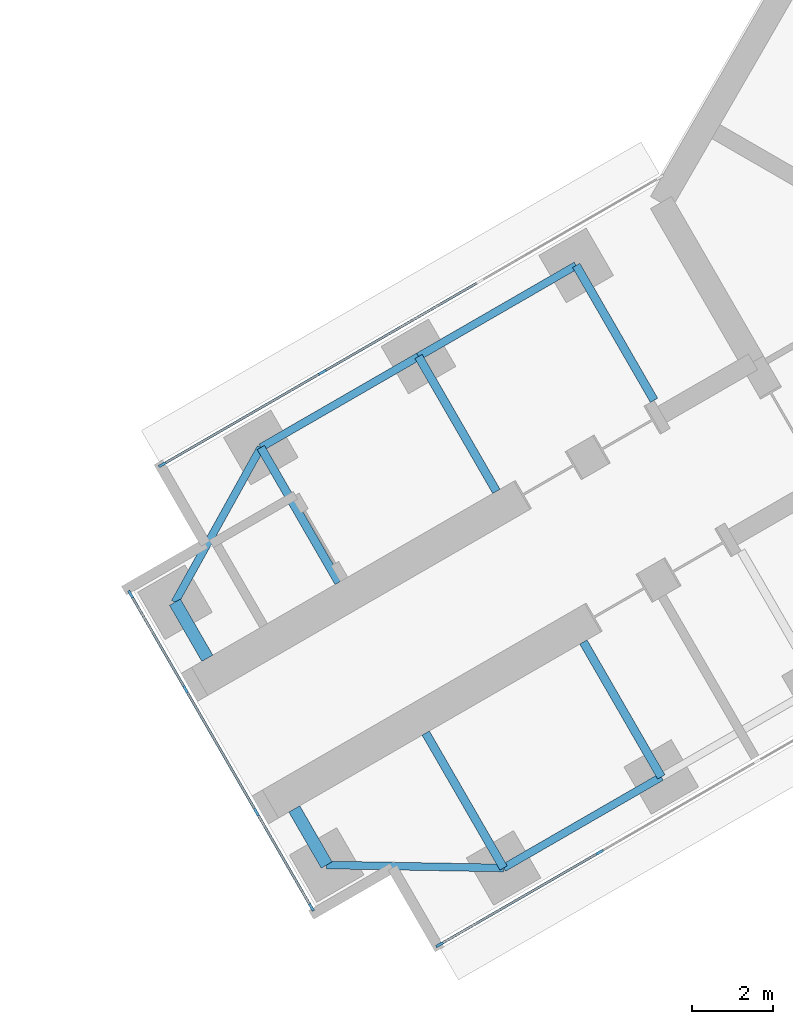
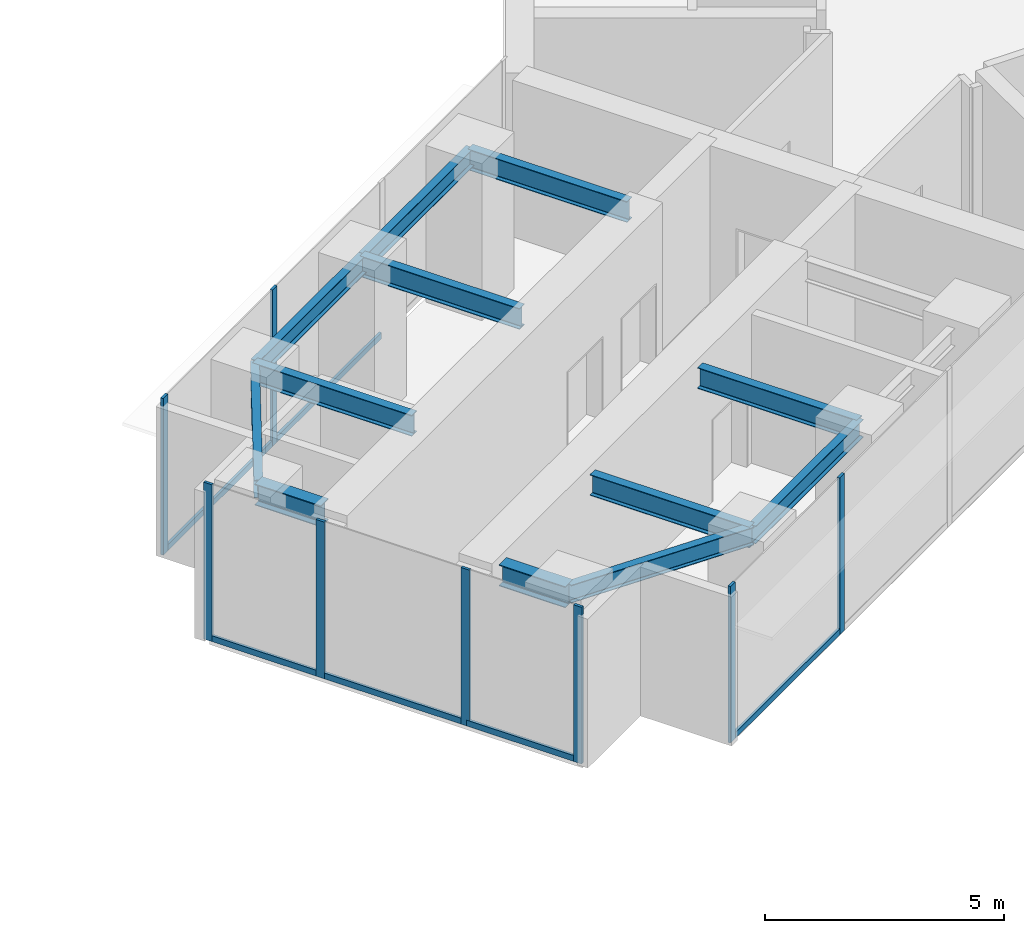
# One storey, part 3 of 21: 14 members, 12 beams, 3 elements without a shape of their own.
"""IFC4 building model written with IfcOpenShell, lengths in metres."""

from ifc_helpers import new_model, si_unit, direction, frame, origin, origin_2d, place, context, subcontext, project, spatial, rectangle, i_section, extrude, material, material_profile, profile_set, type_object, element, aggregate, save


model = new_model("IFC4")

# Units and contexts
model_context = context("Model", 3, precision=1e-05, world=origin(), true_north=direction((0.0, 1.0)))
body_context = subcontext(model_context, "Body", "Model", "MODEL_VIEW")
ifc_project = project(units=[si_unit("LENGTHUNIT", "METRE"), si_unit("AREAUNIT", "SQUARE_METRE"), si_unit("VOLUMEUNIT", "CUBIC_METRE"), si_unit("PLANEANGLEUNIT", "RADIAN"), si_unit("MASSUNIT", "GRAM", prefix="KILO")], contexts=[model_context])

# Site, building, storey
site_placement = place(None, origin())
site = spatial("IfcSite", under=ifc_project, at=site_placement, CompositionType="ELEMENT")
building_placement = place(site_placement, origin())
building = spatial("IfcBuilding", under=site, at=building_placement, Name="Upepo Twin Towers", CompositionType="ELEMENT")
storey_placement = place(building_placement, frame((0.0, 0.0, 101.5)))
storey = spatial("IfcBuildingStorey", under=building, at=storey_placement, Name="L24", CompositionType="ELEMENT", Elevation=101.5)

# Beams
ifc_material_1 = material(Name="Steel S355", Category="steel")
ifc_material_profile_1 = material_profile(ifc_material_1, i_section(OverallWidth=0.1904296875, OverallDepth=0.45703125, WebThickness=0.009033203125, FlangeThickness=0.014404296875, FilletRadius=0.01025390625, at=origin_2d()), Name="UB 457x191x74")
ifc_profile_set_1 = profile_set([ifc_material_profile_1], Name="Steel S355")
beam_type_1 = type_object("IfcBeamType", Name="Beam UB 457x191x74", PredefinedType="BEAM", material=ifc_profile_set_1)
beam_1_placement = place(storey_placement, frame((45.91162109375, -32.196044921875, 3.571533203125), z_axis=(-0.866031096941, -0.499990139034, 0.0), x_axis=(0.499990139034, -0.866031096941, 0.0)))
element("IfcBeam", 1, at=beam_1_placement, inside=storey, type_object=beam_type_1, Name="T2 edge beam BL 18.0-22.5", PredefinedType="BEAM", context=body_context, shape_type="SweptSolid", body=[
    extrude(i_section(OverallWidth=0.1904296875, OverallDepth=0.45703125, WebThickness=0.009033203125, FlangeThickness=0.014404296875, FilletRadius=0.01025390625, at=origin_2d()), origin(), (0.0, 0.0, 1.0), 4.5),
])
beam_2_placement = place(storey_placement, frame((42.014404296875, -34.446044921875, 3.571533203125), z_axis=(-0.999858804832, 0.016803880528, 0.0), x_axis=(-0.016803880528, -0.999858804832, 0.0)))
element("IfcBeam", 2, at=beam_2_placement, inside=storey, type_object=beam_type_1, Name="T2 nose edge beam BL", PredefinedType="BEAM", context=body_context, shape_type="SweptSolid", body=[
    extrude(i_section(OverallWidth=0.1904296875, OverallDepth=0.45703125, WebThickness=0.009033203125, FlangeThickness=0.014404296875, FilletRadius=0.01025390625, at=origin_2d()), origin(), (0.0, 0.0, 1.0), 4.373291015625),
])
beam_3_placement = place(storey_placement, frame((43.80859375, -19.553955078125, 3.571533203125), z_axis=(-0.866017533419, -0.500013631625, 0.0), x_axis=(0.500013631625, -0.866017533419, 0.0)))
element("IfcBeam", 3, at=beam_3_placement, inside=storey, type_object=beam_type_1, Name="T2 edge beam BR 13.5-18.0", PredefinedType="BEAM", context=body_context, shape_type="SweptSolid", body=[
    extrude(i_section(OverallWidth=0.1904296875, OverallDepth=0.45703125, WebThickness=0.009033203125, FlangeThickness=0.014404296875, FilletRadius=0.01025390625, at=origin_2d()), origin(), (0.0, 0.0, 1.0), 4.499755859375),
])
beam_4_placement = place(storey_placement, frame((39.91162109375, -21.803955078125, 3.571533203125), z_axis=(-0.866031096941, -0.499990139034, 0.0), x_axis=(0.499990139034, -0.866031096941, 0.0)))
element("IfcBeam", 4, at=beam_4_placement, inside=storey, type_object=beam_type_1, Name="T2 edge beam BR 18.0-22.5", PredefinedType="BEAM", context=body_context, shape_type="SweptSolid", body=[
    extrude(i_section(OverallWidth=0.1904296875, OverallDepth=0.45703125, WebThickness=0.009033203125, FlangeThickness=0.014404296875, FilletRadius=0.01025390625, at=origin_2d()), origin(), (0.0, 0.0, 1.0), 4.5),
])
beam_5_placement = place(storey_placement, frame((36.014404296875, -24.053955078125, 3.571533203125), z_axis=(-0.485363242752, -0.874312600038, 0.0), x_axis=(0.874312600038, -0.485363242752, 0.0)))
element("IfcBeam", 5, at=beam_5_placement, inside=storey, type_object=beam_type_1, Name="T2 nose edge beam BR", PredefinedType="BEAM", context=body_context, shape_type="SweptSolid", body=[
    extrude(i_section(OverallWidth=0.1904296875, OverallDepth=0.45703125, WebThickness=0.009033203125, FlangeThickness=0.014404296875, FilletRadius=0.01025390625, at=origin_2d()), origin(), (0.0, 0.0, 1.0), 4.373046875),
])
ifc_material_2 = material(Name="Steel S355", Category="steel")
ifc_material_profile_2 = material_profile(ifc_material_2, i_section(OverallWidth=0.209228515625, OverallDepth=0.533203125, WebThickness=0.010009765625, FlangeThickness=0.015625, FilletRadius=0.0126953125, at=origin_2d()), Name="UB 533x210x92")
ifc_profile_set_2 = profile_set([ifc_material_profile_2], Name="Steel S355")
beam_type_2 = type_object("IfcBeamType", Name="Beam UB 533x210x92", PredefinedType="BEAM", material=ifc_profile_set_2)
for number, where, z_axis, x_axis, name in (
    (6, (45.91162109375, -32.196044921875, 3.533447265625), (-0.500033517596, 0.866006051527, 0.0), (-0.866006051527, -0.500033517596, 0.0), "T2 girder BL at 18.0"),
    (7, (42.014404296875, -34.446044921875, 3.533447265625), (-0.500033517596, 0.866006051527, 0.0), (-0.866006051527, -0.500033517596, 0.0), "T2 girder BL at 22.5"),
    (8, (43.80859375, -19.553955078125, 3.533447265625), (0.500033517596, -0.866006051527, 0.0), (0.866006051527, 0.500033517596, 0.0), "T2 girder BR at 13.5"),
):
    element("IfcBeam", number, at=place(storey_placement, frame(where, z_axis=z_axis, x_axis=x_axis)), inside=storey, type_object=beam_type_2, Name=name, PredefinedType="BEAM", context=body_context, shape_type="SweptSolid", body=[
        extrude(i_section(OverallWidth=0.209228515625, OverallDepth=0.533203125, WebThickness=0.010009765625, FlangeThickness=0.015625, FilletRadius=0.0126953125, at=origin_2d()), origin(), (0.0, 0.0, 1.0), 3.849853515625),
    ])
beam_6_placement = place(storey_placement, frame((39.91162109375, -21.803955078125, 3.533447265625), z_axis=(0.499985955615, -0.866033512162, 0.0), x_axis=(0.866033512162, 0.499985955615, 0.0)))
element("IfcBeam", 9, at=beam_6_placement, inside=storey, type_object=beam_type_2, Name="T2 girder BR at 18.0", PredefinedType="BEAM", context=body_context, shape_type="SweptSolid", body=[
    extrude(i_section(OverallWidth=0.209228515625, OverallDepth=0.533203125, WebThickness=0.010009765625, FlangeThickness=0.015625, FilletRadius=0.0126953125, at=origin_2d()), origin(), (0.0, 0.0, 1.0), 3.849609375),
])
beam_7_placement = place(storey_placement, frame((36.014404296875, -24.053955078125, 3.533447265625), z_axis=(0.500033517596, -0.866006051527, 0.0), x_axis=(0.866006051527, 0.500033517596, 0.0)))
element("IfcBeam", 10, at=beam_7_placement, inside=storey, type_object=beam_type_2, Name="T2 girder BR at 22.5", PredefinedType="BEAM", context=body_context, shape_type="SweptSolid", body=[
    extrude(i_section(OverallWidth=0.209228515625, OverallDepth=0.533203125, WebThickness=0.010009765625, FlangeThickness=0.015625, FilletRadius=0.0126953125, at=origin_2d()), origin(), (0.0, 0.0, 1.0), 3.849853515625),
])
ifc_material_3 = material(Name="Steel S355", Category="steel")
ifc_material_profile_3 = material_profile(ifc_material_3, i_section(OverallWidth=0.31201171875, OverallDepth=0.54345703125, WebThickness=0.0126953125, FlangeThickness=0.020263671875, FilletRadius=0.0126953125, at=origin_2d()), Name="UB 533x312x150")
ifc_profile_set_3 = profile_set([ifc_material_profile_3], Name="Steel S355")
beam_type_3 = type_object("IfcBeamType", Name="Beam UB 533x312x150", PredefinedType="BEAM", material=ifc_profile_set_3)
for number, where, z_axis, x_axis, name in (
    (11, (37.641845703125, -34.37255859375, 3.5283203125), (-0.500061482766, 0.865989903783, 0.0), (-0.865989903783, -0.500061482766, 0.0), "T2 nose beam BL"),
    (12, (33.891845703125, -27.87744140625, 3.5283203125), (0.500061482766, -0.865989903783, 0.0), (0.865989903783, 0.500061482766, 0.0), "T2 nose beam BR"),
):
    element("IfcBeam", number, at=place(storey_placement, frame(where, z_axis=z_axis, x_axis=x_axis)), inside=storey, type_object=beam_type_3, Name=name, PredefinedType="BEAM", context=body_context, shape_type="SweptSolid", body=[
        extrude(i_section(OverallWidth=0.31201171875, OverallDepth=0.54345703125, WebThickness=0.0126953125, FlangeThickness=0.020263671875, FilletRadius=0.0126953125, at=origin_2d()), origin(), (0.0, 0.0, 1.0), 1.599853515625),
    ])

# Curtain wall, members
ifc_material_4 = material(Name="Aluminium and fritted glass", Category="aluminium")
curtain_wall_type = type_object("IfcCurtainWallType", Name="Tower curtain wall TW2, fritted glass", PredefinedType="NOTDEFINED", material=ifc_material_4)
curtain_wall_1_placement = place(storey_placement, origin())
curtain_wall_1 = element("IfcCurtainWall", 13, at=curtain_wall_1_placement, inside=storey, type_object=curtain_wall_type, Name="T2 L24 wing B flank L curtain wall", PredefinedType="NOTDEFINED")
ifc_material_5 = material(Name="Aluminium mullion", Category="aluminium")
ifc_material_profile_4 = material_profile(ifc_material_5, rectangle(XDim=0.06494140625, YDim=0.199951171875, at=origin_2d()), Name="MULLION 65x200")
ifc_profile_set_4 = profile_set([ifc_material_profile_4], Name="Aluminium mullion")
member_type_1 = type_object("IfcMemberType", Name="Mullion 65x200 TW2", PredefinedType="MULLION", material=ifc_profile_set_4)
member_1_placement = place(storey_placement, frame((44.387939453125, -34.057373046875, 0.0), z_axis=(0.0, 0.0, 1.0), x_axis=(0.500000010308, -0.866025397833, 0.0)))
member_1 = element("IfcMember", 14, at=member_1_placement, type_object=member_type_1, Name="T2 L24 wing B flank L curtain wall mullion 3", PredefinedType="MULLION", context=body_context, shape_type="SweptSolid", body=[
    extrude(rectangle(XDim=0.06494140625, YDim=0.199951171875, at=origin_2d()), origin(), (0.0, 0.0, 1.0), 4.0),
])
member_2_placement = place(storey_placement, frame((40.432373046875, -36.341064453125, 0.0), z_axis=(0.0, 0.0, 1.0), x_axis=(0.500000010308, -0.866025397833, 0.0)))
member_2 = element("IfcMember", 15, at=member_2_placement, type_object=member_type_1, Name="T2 L24 wing B flank L curtain wall mullion 4", PredefinedType="MULLION", context=body_context, shape_type="SweptSolid", body=[
    extrude(rectangle(XDim=0.06494140625, YDim=0.199951171875, at=origin_2d()), origin(), (0.0, 0.0, 1.0), 4.0),
])

curtain_wall_2_placement = place(storey_placement, origin())
curtain_wall_2 = element("IfcCurtainWall", 16, at=curtain_wall_2_placement, inside=storey, type_object=curtain_wall_type, Name="T2 L24 wing B flank R curtain wall", PredefinedType="NOTDEFINED")
member_3_placement = place(storey_placement, frame((33.58251953125, -24.4765625, 0.0), z_axis=(0.0, 0.0, 1.0), x_axis=(-0.500000010308, 0.866025397833, 0.0)))
member_3 = element("IfcMember", 17, at=member_3_placement, type_object=member_type_1, Name="T2 L24 wing B flank R curtain wall mullion 1", PredefinedType="MULLION", context=body_context, shape_type="SweptSolid", body=[
    extrude(rectangle(XDim=0.06494140625, YDim=0.199951171875, at=origin_2d()), origin(), (0.0, 0.0, 1.0), 4.0),
])
member_4_placement = place(storey_placement, frame((37.5380859375, -22.192626953125, 0.0), z_axis=(0.0, 0.0, 1.0), x_axis=(-0.500000010308, 0.866025397833, 0.0)))
member_4 = element("IfcMember", 18, at=member_4_placement, type_object=member_type_1, Name="T2 L24 wing B flank R curtain wall mullion 2", PredefinedType="MULLION", context=body_context, shape_type="SweptSolid", body=[
    extrude(rectangle(XDim=0.06494140625, YDim=0.199951171875, at=origin_2d()), origin(), (0.0, 0.0, 1.0), 4.0),
])

curtain_wall_3_placement = place(storey_placement, origin())
curtain_wall_3 = element("IfcCurtainWall", 19, at=curtain_wall_3_placement, inside=storey, type_object=curtain_wall_type, Name="T2 L24 wing B nose curtain wall", PredefinedType="NOTDEFINED")
member_5_placement = place(storey_placement, frame((32.796875, -27.68115234375, 0.0), z_axis=(0.0, 0.0, 1.0), x_axis=(0.866025386174, 0.500000030502, 0.0)))
member_5 = element("IfcMember", 20, at=member_5_placement, type_object=member_type_1, Name="T2 L24 wing B nose curtain wall mullion 1", PredefinedType="MULLION", context=body_context, shape_type="SweptSolid", body=[
    extrude(rectangle(XDim=0.06494140625, YDim=0.199951171875, at=origin_2d()), origin(), (0.0, 0.0, 1.0), 4.0),
])
member_6_placement = place(storey_placement, frame((34.15576171875, -30.034423828125, 0.0), z_axis=(0.0, 0.0, 1.0), x_axis=(0.866025386174, 0.500000030502, 0.0)))
member_6 = element("IfcMember", 21, at=member_6_placement, type_object=member_type_1, Name="T2 L24 wing B nose curtain wall mullion 2", PredefinedType="MULLION", context=body_context, shape_type="SweptSolid", body=[
    extrude(rectangle(XDim=0.06494140625, YDim=0.199951171875, at=origin_2d()), origin(), (0.0, 0.0, 1.0), 4.0),
])
member_7_placement = place(storey_placement, frame((35.90576171875, -33.0654296875, 0.0), z_axis=(0.0, 0.0, 1.0), x_axis=(0.866025386174, 0.500000030502, 0.0)))
member_7 = element("IfcMember", 22, at=member_7_placement, type_object=member_type_1, Name="T2 L24 wing B nose curtain wall mullion 3", PredefinedType="MULLION", context=body_context, shape_type="SweptSolid", body=[
    extrude(rectangle(XDim=0.06494140625, YDim=0.199951171875, at=origin_2d()), origin(), (0.0, 0.0, 1.0), 4.0),
])
member_8_placement = place(storey_placement, frame((37.264404296875, -35.4189453125, 0.0), z_axis=(0.0, 0.0, 1.0), x_axis=(0.866025386174, 0.500000030502, 0.0)))
member_8 = element("IfcMember", 23, at=member_8_placement, type_object=member_type_1, Name="T2 L24 wing B nose curtain wall mullion 4", PredefinedType="MULLION", context=body_context, shape_type="SweptSolid", body=[
    extrude(rectangle(XDim=0.06494140625, YDim=0.199951171875, at=origin_2d()), origin(), (0.0, 0.0, 1.0), 4.0),
])

# Member
ifc_material_6 = material(Name="Aluminium transom", Category="aluminium")
ifc_material_profile_5 = material_profile(ifc_material_6, rectangle(XDim=0.06494140625, YDim=0.14990234375, at=origin_2d()), Name="TRANSOM 65x150")
ifc_profile_set_5 = profile_set([ifc_material_profile_5], Name="Aluminium transom")
member_type_2 = type_object("IfcMemberType", Name="Transom 65x150 TW2", PredefinedType="USERDEFINED", material=ifc_profile_set_5)
member_9_placement = place(storey_placement, frame((44.35986328125, -34.073486328125, 0.074951171875), z_axis=(-0.866035699072, -0.499982167615, 0.0), x_axis=(0.499982167615, -0.866035699072, 0.0)))
member_9 = element("IfcMember", 24, at=member_9_placement, type_object=member_type_2, Name="T2 L24 wing B flank L curtain wall transom 3", ObjectType="TRANSOM", PredefinedType="USERDEFINED", context=body_context, shape_type="SweptSolid", body=[
    extrude(rectangle(XDim=0.06494140625, YDim=0.14990234375, at=origin_2d()), origin(), (0.0, 0.0, 1.0), 4.502685546875),
])

aggregate(curtain_wall_1, [member_1, member_2, member_9])

member_10_placement = place(storey_placement, frame((33.610595703125, -24.460205078125, 0.074951171875), z_axis=(0.866022143554, 0.500005646842, 0.0), x_axis=(-0.500005646842, 0.866022143554, 0.0)))
member_10 = element("IfcMember", 25, at=member_10_placement, type_object=member_type_2, Name="T2 L24 wing B flank R curtain wall transom 1", ObjectType="TRANSOM", PredefinedType="USERDEFINED", context=body_context, shape_type="SweptSolid", body=[
    extrude(rectangle(XDim=0.06494140625, YDim=0.14990234375, at=origin_2d()), origin(), (0.0, 0.0, 1.0), 4.50244140625),
])

member_11_placement = place(storey_placement, frame((37.566162109375, -22.176513671875, 0.074951171875), z_axis=(0.866022410713, 0.500005184116, 0.0), x_axis=(-0.500005184116, 0.866022410713, 0.0)))
member_11 = element("IfcMember", 26, at=member_11_placement, type_object=member_type_2, Name="T2 L24 wing B flank R curtain wall transom 2", ObjectType="TRANSOM", PredefinedType="USERDEFINED", context=body_context, shape_type="SweptSolid", body=[
    extrude(rectangle(XDim=0.06494140625, YDim=0.14990234375, at=origin_2d()), origin(), (0.0, 0.0, 1.0), 4.43505859375),
])

aggregate(curtain_wall_2, [member_3, member_4, member_10, member_11])

member_12_placement = place(storey_placement, frame((32.813232421875, -27.709228515625, 0.074951171875), z_axis=(0.499980071345, -0.866036909293, 0.0), x_axis=(0.866036909293, 0.499980071345, 0.0)))
member_12 = element("IfcMember", 27, at=member_12_placement, type_object=member_type_2, Name="T2 L24 wing B nose curtain wall transom 1", ObjectType="TRANSOM", PredefinedType="USERDEFINED", context=body_context, shape_type="SweptSolid", body=[
    extrude(rectangle(XDim=0.06494140625, YDim=0.14990234375, at=origin_2d()), origin(), (0.0, 0.0, 1.0), 2.65234375),
])

member_13_placement = place(storey_placement, frame((34.171875, -30.0625, 0.074951171875), z_axis=(0.499999305434, -0.866025804792, 0.0), x_axis=(0.866025804792, 0.499999305434, 0.0)))
member_13 = element("IfcMember", 28, at=member_13_placement, type_object=member_type_2, Name="T2 L24 wing B nose curtain wall transom 2", ObjectType="TRANSOM", PredefinedType="USERDEFINED", context=body_context, shape_type="SweptSolid", body=[
    extrude(rectangle(XDim=0.06494140625, YDim=0.14990234375, at=origin_2d()), origin(), (0.0, 0.0, 1.0), 3.43505859375),
])

member_14_placement = place(storey_placement, frame((35.921875, -33.09375, 0.074951171875), z_axis=(0.500049101008, -0.865997053448, 0.0), x_axis=(0.865997053448, 0.500049101008, 0.0)))
member_14 = element("IfcMember", 29, at=member_14_placement, type_object=member_type_2, Name="T2 L24 wing B nose curtain wall transom 3", ObjectType="TRANSOM", PredefinedType="USERDEFINED", context=body_context, shape_type="SweptSolid", body=[
    extrude(rectangle(XDim=0.06494140625, YDim=0.14990234375, at=origin_2d()), origin(), (0.0, 0.0, 1.0), 2.652587890625),
])

aggregate(curtain_wall_3, [member_5, member_6, member_7, member_8, member_12, member_13, member_14])

save(model, "model.ifc")
